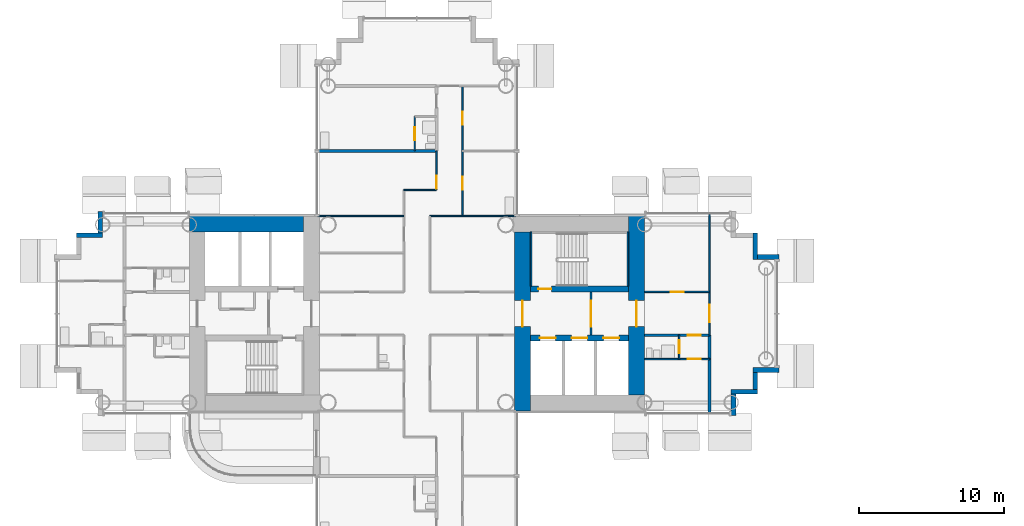
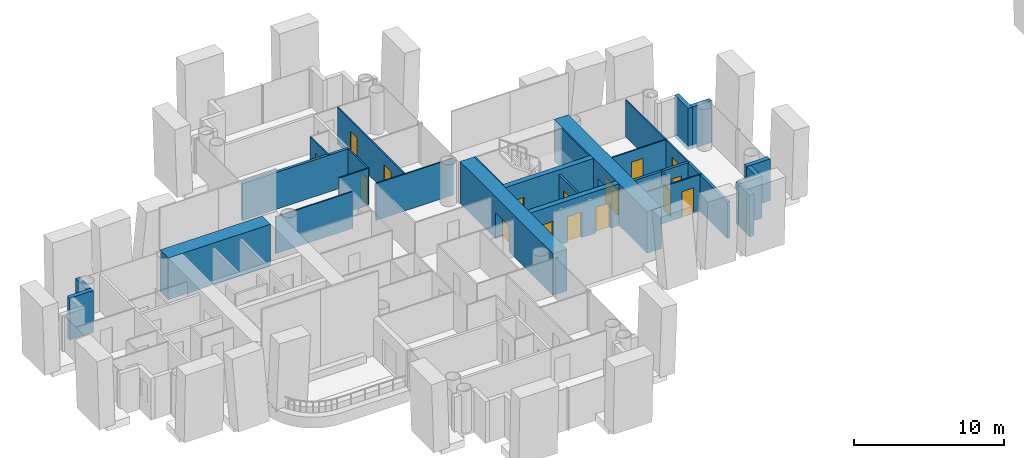
# One storey, part 12 of 25: 29 walls, 16 doors, 16 openings.
"""IFC4 building model written with IfcOpenShell, lengths in metres."""

from ifc_helpers import new_model, si_unit, direction, frame, frame_2d, origin, place, context, subcontext, project, spatial, rectangle, extrude, material, layer, layer_set, type_object, element, fill, save


model = new_model("IFC4")

# Units and contexts
model_context = context("Model", 3, precision=1e-05, world=origin(), true_north=direction((0.0, 1.0)))
body_context = subcontext(model_context, "Body", "Model", "MODEL_VIEW")
ifc_project = project(units=[si_unit("LENGTHUNIT", "METRE"), si_unit("AREAUNIT", "SQUARE_METRE"), si_unit("VOLUMEUNIT", "CUBIC_METRE"), si_unit("PLANEANGLEUNIT", "RADIAN"), si_unit("MASSUNIT", "GRAM", prefix="KILO")], contexts=[model_context])

# Site, building, storey
site_placement = place(None, origin())
site = spatial("IfcSite", under=ifc_project, at=site_placement, CompositionType="ELEMENT")
building_placement = place(site_placement, origin())
building = spatial("IfcBuilding", under=site, at=building_placement, Name="Ipe Terrace Towers", CompositionType="ELEMENT")
storey_placement = place(building_placement, frame((0.0, 0.0, 65.300048828125)))
storey = spatial("IfcBuildingStorey", under=building, at=storey_placement, Name="L17", CompositionType="ELEMENT", Elevation=65.300048828125)

# Walls
ifc_material_1 = material(Name="Concrete C40/50 with buff precast cladding", Category="concrete")
ifc_layer_1 = layer(ifc_material_1, 0.320068359375)
ifc_layer_set_1 = layer_set([ifc_layer_1], Name="BUFF CLADDING WALL 320")
wall_type_1 = type_object("IfcWallType", Name="BUFF CLADDING WALL 320", PredefinedType="STANDARD", material=ifc_layer_set_1)
wall_1_placement = place(storey_placement, frame((-14.090087890625, -7.070068359375, -0.300048828125), z_axis=(0.0, 0.0, 1.0), x_axis=(0.0, 1.0, 0.0)))
element("IfcWall", 1, at=wall_1_placement, inside=storey, type_object=wall_type_1, Name="T1-W-L17-21a wall", PredefinedType="STANDARD", context=body_context, shape_type="SweptSolid", body=[
    extrude(rectangle(XDim=1.5, YDim=0.320068359375, at=frame_2d((0.75, 0.0))), origin(), (0.0, 0.0, 1.0), 3.39990234375),
])
wall_2_placement = place(storey_placement, frame((-14.25, -5.409912109375, -0.300048828125), z_axis=(0.0, 0.0, 1.0), x_axis=(1.0, 0.0, 0.0)))
element("IfcWall", 2, at=wall_2_placement, inside=storey, type_object=wall_type_1, Name="T1-W-L17-22a wall", PredefinedType="STANDARD", context=body_context, shape_type="SweptSolid", body=[
    extrude(rectangle(XDim=1.820068359375, YDim=0.320068359375, at=frame_2d((0.91015625, 0.0))), origin(), (0.0, 0.0, 1.0), 3.39990234375),
])
wall_3_placement = place(storey_placement, frame((-12.590087890625, -5.25, -0.300048828125), z_axis=(0.0, 0.0, 1.0), x_axis=(0.0, 1.0, 0.0)))
element("IfcWall", 3, at=wall_3_placement, inside=storey, type_object=wall_type_1, Name="T1-W-L17-23a wall", PredefinedType="STANDARD", context=body_context, shape_type="SweptSolid", body=[
    extrude(rectangle(XDim=1.179931640625, YDim=0.320068359375, at=frame_2d((0.58984375, 0.0))), origin(), (0.0, 0.0, 1.0), 3.39990234375),
])
wall_4_placement = place(storey_placement, frame((-12.75, -3.909912109375, -0.300048828125), z_axis=(0.0, 0.0, 1.0), x_axis=(1.0, 0.0, 0.0)))
element("IfcWall", 4, at=wall_4_placement, inside=storey, type_object=wall_type_1, Name="T1-W-L17-24a wall", PredefinedType="STANDARD", context=body_context, shape_type="SweptSolid", body=[
    extrude(rectangle(XDim=1.820068359375, YDim=0.320068359375, at=frame_2d((0.91015625, 0.0))), origin(), (0.0, 0.0, 1.0), 3.39990234375),
])
wall_5_placement = place(storey_placement, frame((-10.929931640625, 3.909912109375, -0.300048828125), z_axis=(0.0, 0.0, 1.0), x_axis=(-1.0, 0.0, 0.0)))
element("IfcWall", 5, at=wall_5_placement, inside=storey, type_object=wall_type_1, Name="T1-W-L17-26a wall", PredefinedType="STANDARD", context=body_context, shape_type="SweptSolid", body=[
    extrude(rectangle(XDim=1.5, YDim=0.320068359375, at=frame_2d((0.75, 0.0))), origin(), (0.0, 0.0, 1.0), 3.39990234375),
])
wall_6_placement = place(storey_placement, frame((-12.590087890625, 3.75, -0.300048828125), z_axis=(0.0, 0.0, 1.0), x_axis=(0.0, 1.0, 0.0)))
element("IfcWall", 6, at=wall_6_placement, inside=storey, type_object=wall_type_1, Name="T1-W-L17-27a wall", PredefinedType="STANDARD", context=body_context, shape_type="SweptSolid", body=[
    extrude(rectangle(XDim=1.820068359375, YDim=0.320068359375, at=frame_2d((0.91015625, 0.0))), origin(), (0.0, 0.0, 1.0), 3.39990234375),
])
wall_7_placement = place(storey_placement, frame((-57.909912109375, 7.070068359375, -0.300048828125), z_axis=(0.0, 0.0, 1.0), x_axis=(0.0, -1.0, 0.0)))
element("IfcWall", 7, at=wall_7_placement, inside=storey, type_object=wall_type_1, Name="T1-W-L17-47a wall", PredefinedType="STANDARD", context=body_context, shape_type="SweptSolid", body=[
    extrude(rectangle(XDim=1.5, YDim=0.320068359375, at=frame_2d((0.75, 0.0))), origin(), (0.0, 0.0, 1.0), 3.39990234375),
])
wall_8_placement = place(storey_placement, frame((-57.75, 5.409912109375, -0.300048828125), z_axis=(0.0, 0.0, 1.0), x_axis=(-1.0, 0.0, 0.0)))
element("IfcWall", 8, at=wall_8_placement, inside=storey, type_object=wall_type_1, Name="T1-W-L17-48a wall", PredefinedType="STANDARD", context=body_context, shape_type="SweptSolid", body=[
    extrude(rectangle(XDim=1.820068359375, YDim=0.320068359375, at=frame_2d((0.91015625, 0.0))), origin(), (0.0, 0.0, 1.0), 3.39990234375),
])

# Wall, opening, door
ifc_material_2 = material(Name="Gypsum board partition", Category="plasterboard")
ifc_layer_2 = layer(ifc_material_2, 0.10009765625)
ifc_layer_set_2 = layer_set([ifc_layer_2], Name="Gypsum board partition 100 mm")
wall_type_2 = type_object("IfcWallType", Name="Gypsum board partition 100 mm", PredefinedType="PARTITIONING", material=ifc_layer_set_2)
wall_9_placement = place(storey_placement, frame((-36.14990234375, 11.25, 0.0), z_axis=(0.0, 0.0, 1.0), x_axis=(0.0, 1.0, 0.0)))
wall_9 = element("IfcWall", 9, at=wall_9_placement, inside=storey, type_object=wall_type_2, Name="Gypsum board partition T1 L17 W09", PredefinedType="PARTITIONING", context=body_context, shape_type="SweptSolid", body=[
    extrude(rectangle(XDim=2.39990234375, YDim=0.10009765625, at=frame_2d((1.199951171875, 0.0))), origin(), (0.0, 0.0, 1.0), 3.0),
])
opening_1_placement = place(wall_9_placement, frame((0.75, 0.0, 0.0)))
opening_1 = element("IfcOpeningElement", 10, at=opening_1_placement, cuts=wall_9, Name="Opening T1-Z1E-11", PredefinedType="OPENING", context=body_context, shape_type="SweptSolid", body=[
    extrude(rectangle(XDim=0.89990234375, YDim=2.10009765625, at=frame_2d((0.449951171875, 1.050048828125))), frame((0.0, 0.06005859375, 0.0), z_axis=(0.0, -1.0, 0.0), x_axis=(1.0, 0.0, 0.0)), (0.0, 0.0, 1.0), 0.1201171875),
])
ifc_material_3 = material(Name="Timber door leaf", Category="wood")
door_type_1 = type_object("IfcDoorType", Name="Bathroom door 900 x 2100", OperationType="NOTDEFINED", PredefinedType="DOOR", material=ifc_material_3)
door_1_placement = place(opening_1_placement, origin())
door_1 = element("IfcDoor", 11, at=door_1_placement, inside=storey, type_object=door_type_1, Name="Bathroom door T1-Z1E-11", OperationType="SINGLE_SWING_LEFT", OverallHeight=2.10009765625, OverallWidth=0.89990234375, PredefinedType="DOOR", context=body_context, shape_type="SweptSolid", body=[
    extrude(rectangle(XDim=0.89990234375, YDim=2.10009765625, at=frame_2d((0.449951171875, 1.050048828125))), frame((0.0, 0.02490234375, 0.0), z_axis=(0.0, -1.0, 0.0), x_axis=(1.0, 0.0, 0.0)), (0.0, 0.0, 1.0), 0.050048828125),
])
fill(opening_1, door_1)

wall_10_placement = place(storey_placement, frame((-34.64990234375, 8.550048828125, 0.0), z_axis=(0.0, 0.0, 1.0), x_axis=(0.0, 1.0, 0.0)))
wall_10 = element("IfcWall", 12, at=wall_10_placement, inside=storey, type_object=wall_type_2, Name="Gypsum board partition T1 L17 W13", PredefinedType="PARTITIONING", context=body_context, shape_type="SweptSolid", body=[
    extrude(rectangle(XDim=2.699951171875, YDim=0.10009765625, at=frame_2d((1.35009765625, 0.0))), origin(), (0.0, 0.0, 1.0), 3.0),
])
opening_2_placement = place(wall_10_placement, frame((0.070068359375, 0.0, 0.0)))
opening_2 = element("IfcOpeningElement", 13, at=opening_2_placement, cuts=wall_10, Name="Opening T1-Z1E-09", PredefinedType="OPENING", context=body_context, shape_type="SweptSolid", body=[
    extrude(rectangle(XDim=0.89990234375, YDim=2.10009765625, at=frame_2d((0.449951171875, 1.050048828125))), frame((0.0, 0.06005859375, 0.0), z_axis=(0.0, -1.0, 0.0), x_axis=(1.0, 0.0, 0.0)), (0.0, 0.0, 1.0), 0.1201171875),
])
ifc_material_4 = material(Name="Timber door leaf", Category="wood")
door_type_2 = type_object("IfcDoorType", Name="Lounge door 900 x 2100", OperationType="NOTDEFINED", PredefinedType="DOOR", material=ifc_material_4)
door_2_placement = place(opening_2_placement, origin())
door_2 = element("IfcDoor", 14, at=door_2_placement, inside=storey, type_object=door_type_2, Name="Lounge door T1-Z1E-09", OperationType="SINGLE_SWING_RIGHT", OverallHeight=2.10009765625, OverallWidth=0.89990234375, PredefinedType="DOOR", context=body_context, shape_type="SweptSolid", body=[
    extrude(rectangle(XDim=0.89990234375, YDim=2.10009765625, at=frame_2d((0.449951171875, 1.050048828125))), frame((0.0, 0.02490234375, 0.0), z_axis=(0.0, -1.0, 0.0), x_axis=(1.0, 0.0, 0.0)), (0.0, 0.0, 1.0), 0.050048828125),
])
fill(opening_2, door_2)

# Wall, openings, doors
wall_11_placement = place(storey_placement, frame((-32.85009765625, 6.75, 0.0), z_axis=(0.0, 0.0, 1.0), x_axis=(0.0, 1.0, 0.0)))
wall_11 = element("IfcWall", 15, at=wall_11_placement, inside=storey, type_object=wall_type_2, Name="Gypsum board partition T1 L17 W17", PredefinedType="PARTITIONING", context=body_context, shape_type="SweptSolid", body=[
    extrude(rectangle(XDim=9.0, YDim=0.10009765625, at=frame_2d((4.5, 0.0))), origin(), (0.0, 0.0, 1.0), 3.0),
])
opening_3_placement = place(wall_11_placement, frame((1.800048828125, 0.0, 0.0)))
opening_3 = element("IfcOpeningElement", 16, at=opening_3_placement, cuts=wall_11, Name="Opening T1-Z1E-12", PredefinedType="OPENING", context=body_context, shape_type="SweptSolid", body=[
    extrude(rectangle(XDim=0.89990234375, YDim=2.10009765625, at=frame_2d((0.449951171875, 1.050048828125))), frame((0.0, 0.06005859375, 0.0), z_axis=(0.0, -1.0, 0.0), x_axis=(1.0, 0.0, 0.0)), (0.0, 0.0, 1.0), 0.1201171875),
])
opening_4_placement = place(wall_11_placement, frame((6.300048828125, 0.0, 0.0)))
opening_4 = element("IfcOpeningElement", 17, at=opening_4_placement, cuts=wall_11, Name="Opening T1-Z1E-13", PredefinedType="OPENING", context=body_context, shape_type="SweptSolid", body=[
    extrude(rectangle(XDim=0.89990234375, YDim=2.10009765625, at=frame_2d((0.449951171875, 1.050048828125))), frame((0.0, 0.06005859375, 0.0), z_axis=(0.0, -1.0, 0.0), x_axis=(1.0, 0.0, 0.0)), (0.0, 0.0, 1.0), 0.1201171875),
])
door_3_placement = place(opening_3_placement, origin())
door_3 = element("IfcDoor", 18, at=door_3_placement, inside=storey, type_object=door_type_2, Name="Lounge door T1-Z1E-12", OperationType="SINGLE_SWING_LEFT", OverallHeight=2.10009765625, OverallWidth=0.89990234375, PredefinedType="DOOR", context=body_context, shape_type="SweptSolid", body=[
    extrude(rectangle(XDim=0.89990234375, YDim=2.10009765625, at=frame_2d((0.449951171875, 1.050048828125))), frame((0.0, 0.02490234375, 0.0), z_axis=(0.0, -1.0, 0.0), x_axis=(1.0, 0.0, 0.0)), (0.0, 0.0, 1.0), 0.050048828125),
])
fill(opening_3, door_3)
door_4_placement = place(opening_4_placement, origin())
door_4 = element("IfcDoor", 19, at=door_4_placement, inside=storey, type_object=door_type_2, Name="Lounge door T1-Z1E-13", OperationType="SINGLE_SWING_RIGHT", OverallHeight=2.10009765625, OverallWidth=0.89990234375, PredefinedType="DOOR", context=body_context, shape_type="SweptSolid", body=[
    extrude(rectangle(XDim=0.89990234375, YDim=2.10009765625, at=frame_2d((0.449951171875, 1.050048828125))), frame((0.0, 0.02490234375, 0.0), z_axis=(0.0, -1.0, 0.0), x_axis=(1.0, 0.0, 0.0)), (0.0, 0.0, 1.0), 0.050048828125),
])
fill(opening_4, door_4)

# Wall, opening, door
wall_12_placement = place(storey_placement, frame((-17.85009765625, -3.14990234375, 0.0), z_axis=(0.0, 0.0, 1.0), x_axis=(0.0, 1.0, 0.0)))
wall_12 = element("IfcWall", 20, at=wall_12_placement, inside=storey, type_object=wall_type_2, Name="Gypsum board partition T1 L17 W19", PredefinedType="PARTITIONING", context=body_context, shape_type="SweptSolid", body=[
    extrude(rectangle(XDim=1.64990234375, YDim=0.10009765625, at=frame_2d((0.824951171875, 0.0))), origin(), (0.0, 0.0, 1.0), 3.0),
])
opening_5_placement = place(wall_12_placement, frame((0.39990234375, 0.0, 0.0)))
opening_5 = element("IfcOpeningElement", 21, at=opening_5_placement, cuts=wall_12, Name="Opening T1-Z1E-24", PredefinedType="OPENING", context=body_context, shape_type="SweptSolid", body=[
    extrude(rectangle(XDim=0.89990234375, YDim=2.10009765625, at=frame_2d((0.449951171875, 1.050048828125))), frame((0.0, 0.06005859375, 0.0), z_axis=(0.0, -1.0, 0.0), x_axis=(1.0, 0.0, 0.0)), (0.0, 0.0, 1.0), 0.1201171875),
])
door_5_placement = place(opening_5_placement, origin())
door_5 = element("IfcDoor", 22, at=door_5_placement, inside=storey, type_object=door_type_1, Name="Bathroom door T1-Z1E-24", OperationType="SINGLE_SWING_LEFT", OverallHeight=2.10009765625, OverallWidth=0.89990234375, PredefinedType="DOOR", context=body_context, shape_type="SweptSolid", body=[
    extrude(rectangle(XDim=0.89990234375, YDim=2.10009765625, at=frame_2d((0.449951171875, 1.050048828125))), frame((0.0, 0.02490234375, 0.0), z_axis=(0.0, -1.0, 0.0), x_axis=(1.0, 0.0, 0.0)), (0.0, 0.0, 1.0), 0.050048828125),
])
fill(opening_5, door_5)

wall_13_placement = place(storey_placement, frame((-15.75, -1.5, 0.0), z_axis=(0.0, 0.0, 1.0), x_axis=(0.0, 1.0, 0.0)))
wall_13 = element("IfcWall", 23, at=wall_13_placement, inside=storey, type_object=wall_type_2, Name="Gypsum board partition T1 L17 W20", PredefinedType="PARTITIONING", context=body_context, shape_type="SweptSolid", body=[
    extrude(rectangle(XDim=8.35009765625, YDim=0.10009765625, at=frame_2d((4.175048828125, 0.0))), origin(), (0.0, 0.0, 1.0), 3.0),
])
opening_6_placement = place(wall_13_placement, frame((0.89990234375, 0.0, 0.0)))
opening_6 = element("IfcOpeningElement", 24, at=opening_6_placement, cuts=wall_13, Name="Opening T1-Z1E-25", PredefinedType="OPENING", context=body_context, shape_type="SweptSolid", body=[
    extrude(rectangle(XDim=1.199951171875, YDim=2.10009765625, at=frame_2d((0.60009765625, 1.050048828125))), frame((0.0, 0.06005859375, 0.0), z_axis=(0.0, -1.0, 0.0), x_axis=(1.0, 0.0, 0.0)), (0.0, 0.0, 1.0), 0.1201171875),
])
ifc_material_5 = material(Name="Timber door leaf", Category="wood")
door_type_3 = type_object("IfcDoorType", Name="Lounge door 1200 x 2100", OperationType="NOTDEFINED", PredefinedType="DOOR", material=ifc_material_5)
door_6_placement = place(opening_6_placement, origin())
door_6 = element("IfcDoor", 25, at=door_6_placement, inside=storey, type_object=door_type_3, Name="Lounge door T1-Z1E-25", OperationType="SINGLE_SWING_LEFT", OverallHeight=2.10009765625, OverallWidth=1.199951171875, PredefinedType="DOOR", context=body_context, shape_type="SweptSolid", body=[
    extrude(rectangle(XDim=1.199951171875, YDim=2.10009765625, at=frame_2d((0.60009765625, 1.050048828125))), frame((0.0, 0.02490234375, 0.0), z_axis=(0.0, -1.0, 0.0), x_axis=(1.0, 0.0, 0.0)), (0.0, 0.0, 1.0), 0.050048828125),
])
fill(opening_6, door_6)

wall_14_placement = place(storey_placement, frame((-20.25, -3.14990234375, 0.0), z_axis=(0.0, 0.0, 1.0), x_axis=(1.0, 0.0, 0.0)))
wall_14 = element("IfcWall", 26, at=wall_14_placement, inside=storey, type_object=wall_type_2, Name="Gypsum board partition T1 L17 W31", PredefinedType="PARTITIONING", context=body_context, shape_type="SweptSolid", body=[
    extrude(rectangle(XDim=4.5, YDim=0.10009765625, at=frame_2d((2.25, 0.0))), origin(), (0.0, 0.0, 1.0), 3.0),
])
opening_7_placement = place(wall_14_placement, frame((3.0, 0.0, 0.0)))
opening_7 = element("IfcOpeningElement", 27, at=opening_7_placement, cuts=wall_14, Name="Opening T1-Z1E-23", PredefinedType="OPENING", context=body_context, shape_type="SweptSolid", body=[
    extrude(rectangle(XDim=0.89990234375, YDim=2.10009765625, at=frame_2d((0.449951171875, 1.050048828125))), frame((0.0, 0.06005859375, 0.0), z_axis=(0.0, -1.0, 0.0), x_axis=(1.0, 0.0, 0.0)), (0.0, 0.0, 1.0), 0.1201171875),
])
ifc_material_6 = material(Name="Timber door leaf", Category="wood")
door_type_4 = type_object("IfcDoorType", Name="Bedroom door 900 x 2100", OperationType="NOTDEFINED", PredefinedType="DOOR", material=ifc_material_6)
door_7_placement = place(opening_7_placement, origin())
door_7 = element("IfcDoor", 28, at=door_7_placement, inside=storey, type_object=door_type_4, Name="Bedroom door T1-Z1E-23", OperationType="SINGLE_SWING_RIGHT", OverallHeight=2.10009765625, OverallWidth=0.89990234375, PredefinedType="DOOR", context=body_context, shape_type="SweptSolid", body=[
    extrude(rectangle(XDim=0.89990234375, YDim=2.10009765625, at=frame_2d((0.449951171875, 1.050048828125))), frame((0.0, 0.02490234375, 0.0), z_axis=(0.0, -1.0, 0.0), x_axis=(1.0, 0.0, 0.0)), (0.0, 0.0, 1.0), 0.050048828125),
])
fill(opening_7, door_7)

wall_15_placement = place(storey_placement, frame((-20.25, 1.5, 0.0), z_axis=(0.0, 0.0, 1.0), x_axis=(1.0, 0.0, 0.0)))
wall_15 = element("IfcWall", 29, at=wall_15_placement, inside=storey, type_object=wall_type_2, Name="Gypsum board partition T1 L17 W41", PredefinedType="PARTITIONING", context=body_context, shape_type="SweptSolid", body=[
    extrude(rectangle(XDim=4.5, YDim=0.10009765625, at=frame_2d((2.25, 0.0))), origin(), (0.0, 0.0, 1.0), 3.0),
])
opening_8_placement = place(wall_15_placement, frame((1.800048828125, 0.0, 0.0)))
opening_8 = element("IfcOpeningElement", 30, at=opening_8_placement, cuts=wall_15, Name="Opening T1-Z1E-21", PredefinedType="OPENING", context=body_context, shape_type="SweptSolid", body=[
    extrude(rectangle(XDim=0.89990234375, YDim=2.10009765625, at=frame_2d((0.449951171875, 1.050048828125))), frame((0.0, 0.06005859375, 0.0), z_axis=(0.0, -1.0, 0.0), x_axis=(1.0, 0.0, 0.0)), (0.0, 0.0, 1.0), 0.1201171875),
])
door_8_placement = place(opening_8_placement, origin())
door_8 = element("IfcDoor", 31, at=door_8_placement, inside=storey, type_object=door_type_2, Name="Lounge door T1-Z1E-21", OperationType="SINGLE_SWING_LEFT", OverallHeight=2.10009765625, OverallWidth=0.89990234375, PredefinedType="DOOR", context=body_context, shape_type="SweptSolid", body=[
    extrude(rectangle(XDim=0.89990234375, YDim=2.10009765625, at=frame_2d((0.449951171875, 1.050048828125))), frame((0.0, 0.02490234375, 0.0), z_axis=(0.0, -1.0, 0.0), x_axis=(1.0, 0.0, 0.0)), (0.0, 0.0, 1.0), 0.050048828125),
])
fill(opening_8, door_8)

# Walls
for number, where, z_axis, x_axis, name in (
    (32, (-42.85009765625, 6.75, 0.0), (0.0, 0.0, 1.0), (1.0, 0.0, 0.0), "Gypsum board partition T1 L17 W46"),
    (33, (-35.10009765625, 6.75, 0.0), (0.0, 0.0, 1.0), (1.0, 0.0, 0.0), "Gypsum board partition T1 L17 W47"),
):
    element("IfcWall", number, at=place(storey_placement, frame(where, z_axis=z_axis, x_axis=x_axis)), inside=storey, type_object=wall_type_2, Name=name, PredefinedType="PARTITIONING", context=body_context, shape_type="SweptSolid", body=[
        extrude(rectangle(XDim=5.9501953125, YDim=0.10009765625, at=frame_2d((2.97509765625, 0.0))), origin(), (0.0, 0.0, 1.0), 3.0),
    ])
wall_16_placement = place(storey_placement, frame((-36.89990234375, 8.550048828125, 0.0), z_axis=(0.0, 0.0, 1.0), x_axis=(1.0, 0.0, 0.0)))
element("IfcWall", 34, at=wall_16_placement, inside=storey, type_object=wall_type_2, Name="Gypsum board partition T1 L17 W48", PredefinedType="PARTITIONING", context=body_context, shape_type="SweptSolid", body=[
    extrude(rectangle(XDim=2.25, YDim=0.10009765625, at=frame_2d((1.125, 0.0))), origin(), (0.0, 0.0, 1.0), 3.0),
])

# Wall, opening, door
ifc_material_7 = material(Name="Gypsum board partition", Category="plasterboard")
ifc_layer_3 = layer(ifc_material_7, 0.14990234375)
ifc_layer_set_3 = layer_set([ifc_layer_3], Name="Gypsum board partition 150 mm")
wall_type_3 = type_object("IfcWallType", Name="Gypsum board partition 150 mm", PredefinedType="PARTITIONING", material=ifc_layer_set_3)
wall_17_placement = place(storey_placement, frame((-23.949951171875, -1.5, 0.0), z_axis=(0.0, 0.0, 1.0), x_axis=(0.0, 1.0, 0.0)))
wall_17 = element("IfcWall", 35, at=wall_17_placement, inside=storey, type_object=wall_type_3, Name="Gypsum board partition T1 L17 t1c1-lobby-wall", PredefinedType="PARTITIONING", context=body_context, shape_type="SweptSolid", body=[
    extrude(rectangle(XDim=3.0, YDim=0.14990234375, at=frame_2d((1.5, 0.0))), origin(), (0.0, 0.0, 1.0), 3.0),
])
opening_9_placement = place(wall_17_placement, frame((0.60009765625, 0.0, 0.0)))
opening_9 = element("IfcOpeningElement", 36, at=opening_9_placement, cuts=wall_17, Name="Opening T1C1-VD", PredefinedType="OPENING", context=body_context, shape_type="SweptSolid", body=[
    extrude(rectangle(XDim=1.800048828125, YDim=2.10009765625, at=frame_2d((0.89990234375, 1.050048828125))), frame((0.0, 0.0849609375, 0.0), z_axis=(0.0, -1.0, 0.0), x_axis=(1.0, 0.0, 0.0)), (0.0, 0.0, 1.0), 0.169921875),
])
ifc_material_8 = material(Name="Fire-rated timber door leaf", Category="wood")
door_type_5 = type_object("IfcDoorType", Name="Lobby door 1800 x 2100 FD60", OperationType="NOTDEFINED", PredefinedType="DOOR", material=ifc_material_8)
door_9_placement = place(opening_9_placement, origin())
door_9 = element("IfcDoor", 37, at=door_9_placement, inside=storey, type_object=door_type_5, Name="Lobby door T1C1-VD", OperationType="SINGLE_SWING_LEFT", OverallHeight=2.10009765625, OverallWidth=1.800048828125, PredefinedType="DOOR", context=body_context, shape_type="SweptSolid", body=[
    extrude(rectangle(XDim=1.800048828125, YDim=2.10009765625, at=frame_2d((0.89990234375, 1.050048828125))), frame((0.0, 0.02490234375, 0.0), z_axis=(0.0, -1.0, 0.0), x_axis=(1.0, 0.0, 0.0)), (0.0, 0.0, 1.0), 0.050048828125),
])
fill(opening_9, door_9)

# Wall
ifc_material_9 = material(Name="Gypsum board party wall", Category="plasterboard")
ifc_layer_4 = layer(ifc_material_9, 0.199951171875)
ifc_layer_set_4 = layer_set([ifc_layer_4], Name="Gypsum board party wall 200 mm")
wall_type_4 = type_object("IfcWallType", Name="Gypsum board party wall 200 mm", PredefinedType="SOLIDWALL", material=ifc_layer_set_4)
wall_18_placement = place(storey_placement, frame((-15.75, -6.85009765625, 0.0), z_axis=(0.0, 0.0, 1.0), x_axis=(0.0, 1.0, 0.0)))
element("IfcWall", 38, at=wall_18_placement, inside=storey, type_object=wall_type_4, Name="Gypsum board party wall T1 L17 W21", PredefinedType="SOLIDWALL", context=body_context, shape_type="SweptSolid", body=[
    extrude(rectangle(XDim=5.35009765625, YDim=0.199951171875, at=frame_2d((2.675048828125, 0.0))), origin(), (0.0, 0.0, 1.0), 3.0),
])

# Wall, opening, door
wall_19_placement = place(storey_placement, frame((-20.25, -1.5, 0.0), z_axis=(0.0, 0.0, 1.0), x_axis=(1.0, 0.0, 0.0)))
wall_19 = element("IfcWall", 39, at=wall_19_placement, inside=storey, type_object=wall_type_4, Name="Gypsum board party wall T1 L17 W37", PredefinedType="SOLIDWALL", context=body_context, shape_type="SweptSolid", body=[
    extrude(rectangle(XDim=4.5, YDim=0.199951171875, at=frame_2d((2.25, 0.0))), origin(), (0.0, 0.0, 1.0), 3.0),
])
opening_10_placement = place(wall_19_placement, frame((3.0, 0.0, 0.0)))
opening_10 = element("IfcOpeningElement", 40, at=opening_10_placement, cuts=wall_19, Name="Opening T1-Z1E-22", PredefinedType="OPENING", context=body_context, shape_type="SweptSolid", body=[
    extrude(rectangle(XDim=0.89990234375, YDim=2.10009765625, at=frame_2d((0.449951171875, 1.050048828125))), frame((0.0, 0.10986328125, 0.0), z_axis=(0.0, -1.0, 0.0), x_axis=(1.0, 0.0, 0.0)), (0.0, 0.0, 1.0), 0.219970703125),
])
ifc_material_10 = material(Name="Fire-rated timber door leaf", Category="wood")
door_type_6 = type_object("IfcDoorType", Name="Flat entrance door 900 x 2100 FD30S", OperationType="NOTDEFINED", PredefinedType="DOOR", material=ifc_material_10)
door_10_placement = place(opening_10_placement, origin())
door_10 = element("IfcDoor", 41, at=door_10_placement, inside=storey, type_object=door_type_6, Name="Flat entrance door T1-Z1E-22", OperationType="SINGLE_SWING_RIGHT", OverallHeight=2.10009765625, OverallWidth=0.89990234375, PredefinedType="DOOR", context=body_context, shape_type="SweptSolid", body=[
    extrude(rectangle(XDim=0.89990234375, YDim=2.10009765625, at=frame_2d((0.449951171875, 1.050048828125))), frame((0.0, 0.02490234375, 0.0), z_axis=(0.0, -1.0, 0.0), x_axis=(1.0, 0.0, 0.0)), (0.0, 0.0, 1.0), 0.050048828125),
])
fill(opening_10, door_10)

# Walls
wall_20_placement = place(storey_placement, frame((-42.85009765625, 11.25, 0.0), z_axis=(0.0, 0.0, 1.0), x_axis=(1.0, 0.0, 0.0)))
element("IfcWall", 42, at=wall_20_placement, inside=storey, type_object=wall_type_4, Name="Gypsum board party wall T1 L17 W50", PredefinedType="SOLIDWALL", context=body_context, shape_type="SweptSolid", body=[
    extrude(rectangle(XDim=8.2001953125, YDim=0.199951171875, at=frame_2d((4.10009765625, 0.0))), origin(), (0.0, 0.0, 1.0), 3.0),
])
ifc_material_11 = material(Name="Concrete C60/75", Category="concrete")
ifc_layer_5 = layer(ifc_material_11, 0.10009765625)
ifc_layer_set_5 = layer_set([ifc_layer_5], Name="RW100 CORE INFILL WALL 100 C60-75")
wall_type_5 = type_object("IfcWallType", Name="RW100 CORE INFILL WALL 100 C60-75", PredefinedType="SHEAR", material=ifc_layer_set_5)
for number, where, z_axis, x_axis, name in (
    (43, (-21.39990234375, 1.89990234375, 0.0), (0.0, 0.0, 1.0), (0.0, 1.0, 0.0), "Core infill wall T1-C1-far"),
    (44, (-28.10009765625, 1.89990234375, 0.0), (0.0, 0.0, 1.0), (0.0, 1.0, 0.0), "Core infill wall T1-C1-near"),
):
    element("IfcWall", number, at=place(storey_placement, frame(where, z_axis=z_axis, x_axis=x_axis)), inside=storey, type_object=wall_type_5, Name=name, PredefinedType="SHEAR", context=body_context, shape_type="SweptSolid", body=[
        extrude(rectangle(XDim=3.75, YDim=0.10009765625, at=frame_2d((1.875, 0.0))), origin(), (0.0, 0.0, 1.0), 3.39990234375),
    ])

# Wall, opening, door
ifc_material_12 = material(Name="Concrete C60/75", Category="concrete")
ifc_layer_6 = layer(ifc_material_12, 1.10009765625)
ifc_layer_set_6 = layer_set([ifc_layer_6], Name="RW1100 CORE WALL 1100 C60-75")
wall_type_6 = type_object("IfcWallType", Name="RW1100 CORE WALL 1100 C60-75", PredefinedType="SHEAR", material=ifc_layer_set_6)
wall_21_placement = place(storey_placement, frame((-20.800048828125, -5.64990234375, 0.0), z_axis=(0.0, 0.0, 1.0), x_axis=(0.0, 1.0, 0.0)))
wall_21 = element("IfcWall", 45, at=wall_21_placement, inside=storey, type_object=wall_type_6, Name="Core wall T1-C1-Z1-W02", PredefinedType="SHEAR", context=body_context, shape_type="SweptSolid", body=[
    extrude(rectangle(XDim=12.39990234375, YDim=1.10009765625, at=frame_2d((6.199951171875, 0.0))), origin(), (0.0, 0.0, 1.0), 3.39990234375),
])
opening_11_placement = place(wall_21_placement, frame((4.75, 0.0, 0.0)))
opening_11 = element("IfcOpeningElement", 46, at=opening_11_placement, cuts=wall_21, Name="Opening T1C1-FD", PredefinedType="OPENING", context=body_context, shape_type="SweptSolid", body=[
    extrude(rectangle(XDim=1.800048828125, YDim=2.10009765625, at=frame_2d((0.89990234375, 1.050048828125))), frame((0.0, 0.56005859375, 0.0), z_axis=(0.0, -1.0, 0.0), x_axis=(1.0, 0.0, 0.0)), (0.0, 0.0, 1.0), 1.1201171875),
])
ifc_material_13 = material(Name="Fire-rated timber door leaf", Category="wood")
door_type_7 = type_object("IfcDoorType", Name="Fire door 1800 x 2100 FD30S", OperationType="NOTDEFINED", PredefinedType="DOOR", material=ifc_material_13)
door_11_placement = place(opening_11_placement, origin())
door_11 = element("IfcDoor", 47, at=door_11_placement, inside=storey, type_object=door_type_7, Name="Fire door T1C1-FD", OperationType="SINGLE_SWING_LEFT", OverallHeight=2.10009765625, OverallWidth=1.800048828125, PredefinedType="DOOR", context=body_context, shape_type="SweptSolid", body=[
    extrude(rectangle(XDim=1.800048828125, YDim=2.10009765625, at=frame_2d((0.89990234375, 1.050048828125))), frame((0.0, 0.02490234375, 0.0), z_axis=(0.0, -1.0, 0.0), x_axis=(1.0, 0.0, 0.0)), (0.0, 0.0, 1.0), 0.050048828125),
])
fill(opening_11, door_11)

wall_22_placement = place(storey_placement, frame((-28.699951171875, 5.64990234375, 0.0), z_axis=(0.0, 0.0, 1.0), x_axis=(0.0, -1.0, 0.0)))
wall_22 = element("IfcWall", 48, at=wall_22_placement, inside=storey, type_object=wall_type_6, Name="Core wall T1-C1-Z1-W04", PredefinedType="SHEAR", context=body_context, shape_type="SweptSolid", body=[
    extrude(rectangle(XDim=12.39990234375, YDim=1.10009765625, at=frame_2d((6.199951171875, 0.0))), origin(), (0.0, 0.0, 1.0), 3.39990234375),
])
opening_12_placement = place(wall_22_placement, frame((4.75, 0.0, 0.0)))
opening_12 = element("IfcOpeningElement", 49, at=opening_12_placement, cuts=wall_22, Name="Opening T1C1-ND", PredefinedType="OPENING", context=body_context, shape_type="SweptSolid", body=[
    extrude(rectangle(XDim=1.800048828125, YDim=2.10009765625, at=frame_2d((0.89990234375, 1.050048828125))), frame((0.0, 0.56005859375, 0.0), z_axis=(0.0, -1.0, 0.0), x_axis=(1.0, 0.0, 0.0)), (0.0, 0.0, 1.0), 1.1201171875),
])
door_12_placement = place(opening_12_placement, origin())
door_12 = element("IfcDoor", 50, at=door_12_placement, inside=storey, type_object=door_type_7, Name="Fire door T1C1-ND", OperationType="SINGLE_SWING_LEFT", OverallHeight=2.10009765625, OverallWidth=1.800048828125, PredefinedType="DOOR", context=body_context, shape_type="SweptSolid", body=[
    extrude(rectangle(XDim=1.800048828125, YDim=2.10009765625, at=frame_2d((0.89990234375, 1.050048828125))), frame((0.0, 0.02490234375, 0.0), z_axis=(0.0, -1.0, 0.0), x_axis=(1.0, 0.0, 0.0)), (0.0, 0.0, 1.0), 0.050048828125),
])
fill(opening_12, door_12)

# Wall
wall_23_placement = place(storey_placement, frame((-43.85009765625, 6.199951171875, 0.0), z_axis=(0.0, 0.0, 1.0), x_axis=(-1.0, 0.0, 0.0)))
element("IfcWall", 51, at=wall_23_placement, inside=storey, type_object=wall_type_6, Name="Core wall T1-C2-Z1-W03", PredefinedType="SHEAR", context=body_context, shape_type="SweptSolid", body=[
    extrude(rectangle(XDim=7.89990234375, YDim=1.10009765625, at=frame_2d((3.949951171875, 0.0))), origin(), (0.0, 0.0, 1.0), 3.39990234375),
])

# Wall, openings, doors
ifc_material_14 = material(Name="Concrete C60/75", Category="concrete")
ifc_layer_7 = layer(ifc_material_14, 0.39990234375)
ifc_layer_set_7 = layer_set([ifc_layer_7], Name="RW400 CORE SPINE WALL 400 C60-75")
wall_type_7 = type_object("IfcWallType", Name="RW400 CORE SPINE WALL 400 C60-75", PredefinedType="SHEAR", material=ifc_layer_set_7)
wall_24_placement = place(storey_placement, frame((-28.14990234375, -1.699951171875, 0.0), z_axis=(0.0, 0.0, 1.0), x_axis=(1.0, 0.0, 0.0)))
wall_24 = element("IfcWall", 52, at=wall_24_placement, inside=storey, type_object=wall_type_7, Name="Core spine wall T1-C1-Z1-SW1", PredefinedType="SHEAR", context=body_context, shape_type="SweptSolid", body=[
    extrude(rectangle(XDim=6.7998046875, YDim=0.39990234375, at=frame_2d((3.39990234375, 0.0))), origin(), (0.0, 0.0, 1.0), 3.39990234375),
])
opening_13_placement = place(wall_24_placement, frame((0.64990234375, 0.0, 0.0)))
opening_13 = element("IfcOpeningElement", 53, at=opening_13_placement, cuts=wall_24, Name="Opening T1C1-LD1", PredefinedType="OPENING", context=body_context, shape_type="SweptSolid", body=[
    extrude(rectangle(XDim=1.10009765625, YDim=2.10009765625, at=frame_2d((0.550048828125, 1.050048828125))), frame((0.0, 0.2099609375, 0.0), z_axis=(0.0, -1.0, 0.0), x_axis=(1.0, 0.0, 0.0)), (0.0, 0.0, 1.0), 0.419921875),
])
opening_14_placement = place(wall_24_placement, frame((2.85009765625, 0.0, 0.0)))
opening_14 = element("IfcOpeningElement", 54, at=opening_14_placement, cuts=wall_24, Name="Opening T1C1-LD2", PredefinedType="OPENING", context=body_context, shape_type="SweptSolid", body=[
    extrude(rectangle(XDim=1.10009765625, YDim=2.10009765625, at=frame_2d((0.550048828125, 1.050048828125))), frame((0.0, 0.2099609375, 0.0), z_axis=(0.0, -1.0, 0.0), x_axis=(1.0, 0.0, 0.0)), (0.0, 0.0, 1.0), 0.419921875),
])
opening_15_placement = place(wall_24_placement, frame((5.050048828125, 0.0, 0.0)))
opening_15 = element("IfcOpeningElement", 55, at=opening_15_placement, cuts=wall_24, Name="Opening T1C1-LD3", PredefinedType="OPENING", context=body_context, shape_type="SweptSolid", body=[
    extrude(rectangle(XDim=1.10009765625, YDim=2.10009765625, at=frame_2d((0.550048828125, 1.050048828125))), frame((0.0, 0.2099609375, 0.0), z_axis=(0.0, -1.0, 0.0), x_axis=(1.0, 0.0, 0.0)), (0.0, 0.0, 1.0), 0.419921875),
])
ifc_material_15 = material(Name="Fire-rated timber door leaf", Category="wood")
door_type_8 = type_object("IfcDoorType", Name="Sliding door 1100 x 2100 FD60", OperationType="SLIDING_TO_LEFT", PredefinedType="DOOR", material=ifc_material_15)
door_13_placement = place(opening_13_placement, origin())
door_13 = element("IfcDoor", 56, at=door_13_placement, inside=storey, type_object=door_type_8, Name="Sliding door T1C1-LD1", OperationType="SLIDING_TO_LEFT", OverallHeight=2.10009765625, OverallWidth=1.10009765625, PredefinedType="DOOR", context=body_context, shape_type="SweptSolid", body=[
    extrude(rectangle(XDim=1.10009765625, YDim=2.10009765625, at=frame_2d((0.550048828125, 1.050048828125))), frame((0.0, 0.02490234375, 0.0), z_axis=(0.0, -1.0, 0.0), x_axis=(1.0, 0.0, 0.0)), (0.0, 0.0, 1.0), 0.050048828125),
])
fill(opening_13, door_13)
door_14_placement = place(opening_14_placement, origin())
door_14 = element("IfcDoor", 57, at=door_14_placement, inside=storey, type_object=door_type_8, Name="Sliding door T1C1-LD2", OperationType="SLIDING_TO_LEFT", OverallHeight=2.10009765625, OverallWidth=1.10009765625, PredefinedType="DOOR", context=body_context, shape_type="SweptSolid", body=[
    extrude(rectangle(XDim=1.10009765625, YDim=2.10009765625, at=frame_2d((0.550048828125, 1.050048828125))), frame((0.0, 0.02490234375, 0.0), z_axis=(0.0, -1.0, 0.0), x_axis=(1.0, 0.0, 0.0)), (0.0, 0.0, 1.0), 0.050048828125),
])
fill(opening_14, door_14)
door_15_placement = place(opening_15_placement, origin())
door_15 = element("IfcDoor", 58, at=door_15_placement, inside=storey, type_object=door_type_8, Name="Sliding door T1C1-LD3", OperationType="SLIDING_TO_LEFT", OverallHeight=2.10009765625, OverallWidth=1.10009765625, PredefinedType="DOOR", context=body_context, shape_type="SweptSolid", body=[
    extrude(rectangle(XDim=1.10009765625, YDim=2.10009765625, at=frame_2d((0.550048828125, 1.050048828125))), frame((0.0, 0.02490234375, 0.0), z_axis=(0.0, -1.0, 0.0), x_axis=(1.0, 0.0, 0.0)), (0.0, 0.0, 1.0), 0.050048828125),
])
fill(opening_15, door_15)

# Wall, opening, door
wall_25_placement = place(storey_placement, frame((-28.14990234375, 1.699951171875, 0.0), z_axis=(0.0, 0.0, 1.0), x_axis=(1.0, 0.0, 0.0)))
wall_25 = element("IfcWall", 59, at=wall_25_placement, inside=storey, type_object=wall_type_7, Name="Core spine wall T1-C1-Z1-SW2", PredefinedType="SHEAR", context=body_context, shape_type="SweptSolid", body=[
    extrude(rectangle(XDim=6.7998046875, YDim=0.39990234375, at=frame_2d((3.39990234375, 0.0))), origin(), (0.0, 0.0, 1.0), 3.39990234375),
])
opening_16_placement = place(wall_25_placement, frame((0.550048828125, 0.0, 0.0)))
opening_16 = element("IfcOpeningElement", 60, at=opening_16_placement, cuts=wall_25, Name="Opening T1C1-SD", PredefinedType="OPENING", context=body_context, shape_type="SweptSolid", body=[
    extrude(rectangle(XDim=0.89990234375, YDim=2.10009765625, at=frame_2d((0.449951171875, 1.050048828125))), frame((0.0, 0.2099609375, 0.0), z_axis=(0.0, -1.0, 0.0), x_axis=(1.0, 0.0, 0.0)), (0.0, 0.0, 1.0), 0.419921875),
])
ifc_material_16 = material(Name="Fire-rated timber door leaf", Category="wood")
door_type_9 = type_object("IfcDoorType", Name="Stair door 900 x 2100 FD60", OperationType="NOTDEFINED", PredefinedType="DOOR", material=ifc_material_16)
door_16_placement = place(opening_16_placement, origin())
door_16 = element("IfcDoor", 61, at=door_16_placement, inside=storey, type_object=door_type_9, Name="Stair door T1C1-SD", OperationType="SINGLE_SWING_LEFT", OverallHeight=2.10009765625, OverallWidth=0.89990234375, PredefinedType="DOOR", context=body_context, shape_type="SweptSolid", body=[
    extrude(rectangle(XDim=0.89990234375, YDim=2.10009765625, at=frame_2d((0.449951171875, 1.050048828125))), frame((0.0, 0.02490234375, 0.0), z_axis=(0.0, -1.0, 0.0), x_axis=(1.0, 0.0, 0.0)), (0.0, 0.0, 1.0), 0.050048828125),
])
fill(opening_16, door_16)

save(model, "model.ifc")
